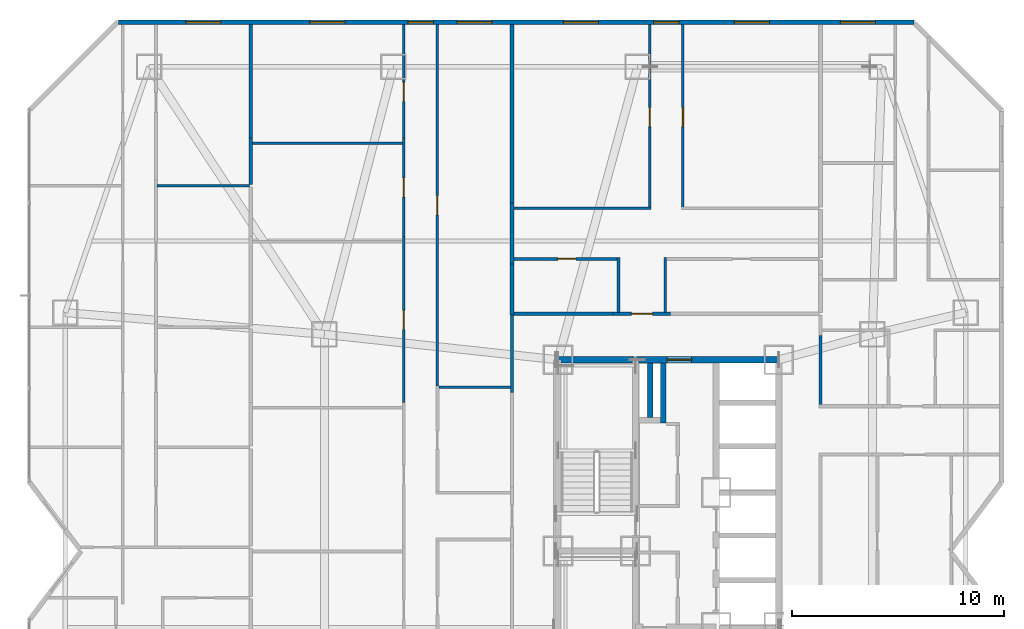
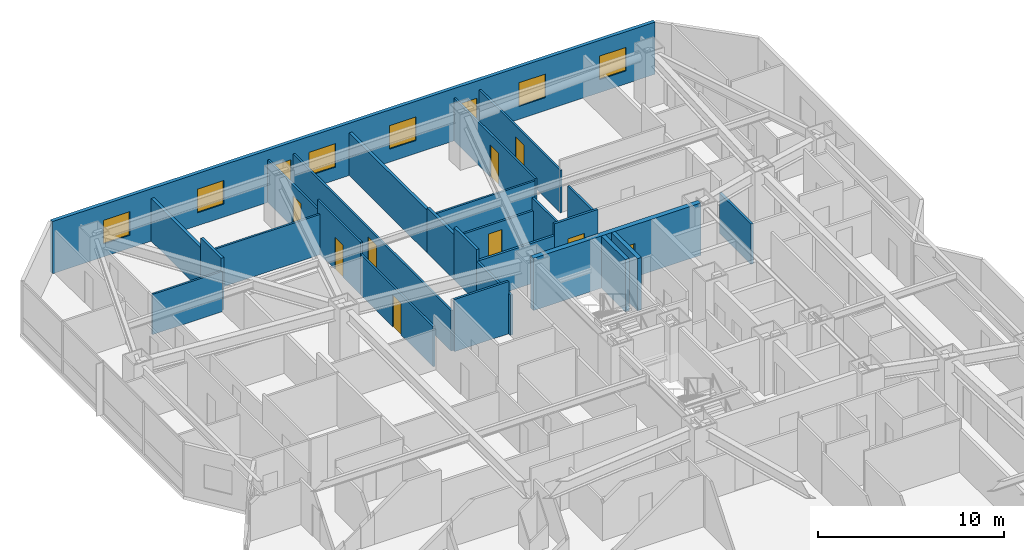
# One storey, part 22 of 25: 26 walls, 9 doors, 8 windows, 17 openings.
"""IFC4 building model written with IfcOpenShell, lengths in metres."""

from ifc_helpers import new_model, si_unit, direction, frame, frame_2d, origin, place, context, subcontext, project, spatial, rectangle, extrude, material, layer, layer_set, type_object, element, fill, save


model = new_model("IFC4")

# Units and contexts
model_context = context("Model", 3, precision=1e-05, world=origin(), true_north=direction((0.0, 1.0)))
body_context = subcontext(model_context, "Body", "Model", "MODEL_VIEW")
ifc_project = project(units=[si_unit("LENGTHUNIT", "METRE"), si_unit("AREAUNIT", "SQUARE_METRE"), si_unit("VOLUMEUNIT", "CUBIC_METRE"), si_unit("PLANEANGLEUNIT", "RADIAN"), si_unit("MASSUNIT", "GRAM", prefix="KILO")], contexts=[model_context])

# Site, building, storey
site_placement = place(None, origin())
site = spatial("IfcSite", under=ifc_project, at=site_placement, CompositionType="ELEMENT")
building_placement = place(site_placement, origin())
building = spatial("IfcBuilding", under=site, at=building_placement, Name="Khamvora Tower", CompositionType="ELEMENT")
storey_placement = place(building_placement, frame((0.0, 0.0, 36.949951171875)))
storey = spatial("IfcBuildingStorey", under=building, at=storey_placement, Name="L08", CompositionType="ELEMENT", Elevation=36.949951171875)

# Wall, opening, door
ifc_material_1 = material(Name="Concrete C50/60", Category="concrete")
ifc_layer_1 = layer(ifc_material_1, 0.300048828125)
ifc_layer_set_1 = layer_set([ifc_layer_1], Name="Concrete C50/60")
wall_type_1 = type_object("IfcWallType", Name="WAL-CORE-300", PredefinedType="SHEAR", material=ifc_layer_set_1)
wall_1_placement = place(storey_placement, frame((29.0, 37.0, 0.0), z_axis=(0.0, 0.0, 1.0), x_axis=(1.0, 0.0, 0.0)))
wall_1 = element("IfcWall", 1, at=wall_1_placement, inside=storey, type_object=wall_type_1, Name="L08 central core north wall", PredefinedType="SHEAR", context=body_context, shape_type="SweptSolid", body=[
    extrude(rectangle(XDim=10.39990234375, YDim=0.300048828125, at=frame_2d((5.199951171875, 0.0))), origin(), (0.0, 0.0, 1.0), 3.429931640625),
])
opening_1_placement = place(wall_1_placement, frame((5.139892578125, 0.0, 0.0)))
opening_1 = element("IfcOpeningElement", 2, at=opening_1_placement, cuts=wall_1, Name="Opening D-SC1", PredefinedType="OPENING", context=body_context, shape_type="SweptSolid", body=[
    extrude(rectangle(XDim=1.14990234375, YDim=2.199951171875, at=frame_2d((0.574951171875, 1.10009765625))), frame((0.0, 0.159912109375, 0.0), z_axis=(0.0, -1.0, 0.0), x_axis=(1.0, 0.0, 0.0)), (0.0, 0.0, 1.0), 0.320068359375),
])
ifc_material_2 = material(Name="Powder-Coated Steel and Hardwood Leaf", Category="steel")
door_type_1 = type_object("IfcDoorType", Name="DOR-SCHL-1150", OperationType="NOTDEFINED", PredefinedType="DOOR", material=ifc_material_2)
door_1_placement = place(opening_1_placement, origin())
door_1 = element("IfcDoor", 3, at=door_1_placement, inside=storey, type_object=door_type_1, Name="L08 north core lobby to corridor fire door", OperationType="SINGLE_SWING_LEFT", OverallHeight=2.199951171875, OverallWidth=1.14990234375, PredefinedType="DOOR", context=body_context, shape_type="SweptSolid", body=[
    extrude(rectangle(XDim=1.14990234375, YDim=2.199951171875, at=frame_2d((0.574951171875, 1.10009765625))), frame((0.0, 0.02490234375, 0.0), z_axis=(0.0, -1.0, 0.0), x_axis=(1.0, 0.0, 0.0)), (0.0, 0.0, 1.0), 0.050048828125),
])
fill(opening_1, door_1)

# Wall
ifc_material_3 = material(Name="Fire-Rated Drywall and Steel Stud", Category="steel")
ifc_layer_2 = layer(ifc_material_3, 0.14990234375)
ifc_layer_set_2 = layer_set([ifc_layer_2], Name="Fire-Rated Drywall and Steel Stud")
wall_type_2 = type_object("IfcWallType", Name="WAL-CORR-150", PredefinedType="STANDARD", material=ifc_layer_set_2)
wall_2_placement = place(storey_placement, frame((26.8349609375, 35.45703125, 0.0), z_axis=(0.0, 0.0, 1.0), x_axis=(0.0, 1.0, 0.0)))
element("IfcWall", 4, at=wall_2_placement, inside=storey, type_object=wall_type_2, Name="L08 interior partition wall 017", PredefinedType="STANDARD", context=body_context, shape_type="SweptSolid", body=[
    extrude(rectangle(XDim=3.64306640625, YDim=0.14990234375, at=frame_2d((1.821533203125, 0.0))), origin(), (0.0, 0.0, 1.0), 2.64697265625),
])

# Wall, opening, door
wall_3_placement = place(storey_placement, frame((31.60107421875, 39.1650390625, 0.0), z_axis=(0.0, 0.0, 1.0), x_axis=(1.0, 0.0, 0.0)))
wall_3 = element("IfcWall", 5, at=wall_3_placement, inside=storey, type_object=wall_type_2, Name="L08 interior partition wall 027", PredefinedType="STANDARD", context=body_context, shape_type="SweptSolid", body=[
    extrude(rectangle(XDim=2.697998046875, YDim=0.14990234375, at=frame_2d((1.34912109375, 0.0))), origin(), (0.0, 0.0, 1.0), 3.429931640625),
])
opening_2_placement = place(wall_3_placement, frame((0.84912109375, 0.0, 0.0)))
opening_2 = element("IfcOpeningElement", 6, at=opening_2_placement, cuts=wall_3, Name="Opening D-U1", PredefinedType="OPENING", context=body_context, shape_type="SweptSolid", body=[
    extrude(rectangle(XDim=1.0, YDim=2.14990234375, at=frame_2d((0.5, 1.074951171875))), frame((0.0, 0.0849609375, 0.0), z_axis=(0.0, -1.0, 0.0), x_axis=(1.0, 0.0, 0.0)), (0.0, 0.0, 1.0), 0.169921875),
])
door_type_2 = type_object("IfcDoorType", Name="DOR-UNIT-1000", OperationType="NOTDEFINED", PredefinedType="DOOR", material=ifc_material_2)
door_2_placement = place(opening_2_placement, origin())
door_2 = element("IfcDoor", 7, at=door_2_placement, inside=storey, type_object=door_type_2, Name="L08 interior door COR-08NAH", OperationType="SINGLE_SWING_RIGHT", OverallHeight=2.14990234375, OverallWidth=1.0, PredefinedType="DOOR", context=body_context, shape_type="SweptSolid", body=[
    extrude(rectangle(XDim=1.0, YDim=2.14990234375, at=frame_2d((0.5, 1.074951171875))), frame((0.0, 0.02490234375, 0.0), z_axis=(0.0, -1.0, 0.0), x_axis=(1.0, 0.0, 0.0)), (0.0, 0.0, 1.0), 0.050048828125),
])
fill(opening_2, door_2)

# Walls
wall_4_placement = place(storey_placement, frame((26.89990234375, 39.1650390625, 0.0), z_axis=(0.0, 0.0, 1.0), x_axis=(1.0, 0.0, 0.0)))
element("IfcWall", 8, at=wall_4_placement, inside=storey, type_object=wall_type_2, Name="L08 interior partition wall 028", PredefinedType="STANDARD", context=body_context, shape_type="SweptSolid", body=[
    extrude(rectangle(XDim=4.701171875, YDim=0.14990234375, at=frame_2d((2.3505859375, 0.0))), origin(), (0.0, 0.0, 1.0), 2.64697265625),
])
wall_5_placement = place(storey_placement, frame((41.364990234375, 38.14599609375, 0.0), z_axis=(0.0, 0.0, 1.0), x_axis=(0.0, -1.0, 0.0)))
element("IfcWall", 9, at=wall_5_placement, inside=storey, type_object=wall_type_2, Name="L08 interior partition wall 039", PredefinedType="STANDARD", context=body_context, shape_type="SweptSolid", body=[
    extrude(rectangle(XDim=3.39599609375, YDim=0.14990234375, at=frame_2d((1.697998046875, 0.0))), origin(), (0.0, 0.0, 1.0), 2.64697265625),
])
ifc_material_4 = material(Name="Acoustic Double-Stud Fire Wall", Category="gypsum")
ifc_layer_3 = layer(ifc_material_4, 0.179931640625)
ifc_layer_set_3 = layer_set([ifc_layer_3], Name="Acoustic Double-Stud Fire Wall")
wall_type_3 = type_object("IfcWallType", Name="WAL-CORR-180", PredefinedType="STANDARD", material=ifc_layer_set_3)
wall_6_placement = place(storey_placement, frame((14.533935546875, 47.443115234375, 0.0), z_axis=(0.0, 0.0, 1.0), x_axis=(0.0, -1.0, 0.0)))
element("IfcWall", 10, at=wall_6_placement, inside=storey, type_object=wall_type_3, Name="L08 interior partition wall 103", PredefinedType="STANDARD", context=body_context, shape_type="SweptSolid", body=[
    extrude(rectangle(XDim=2.18017578125, YDim=0.179931640625, at=frame_2d((1.090087890625, 0.0))), origin(), (0.0, 0.0, 1.0), 3.429931640625),
])
wall_7_placement = place(storey_placement, frame((14.533935546875, 52.7880859375, 0.0), z_axis=(0.0, 0.0, 1.0), x_axis=(0.0, -1.0, 0.0)))
element("IfcWall", 11, at=wall_7_placement, inside=storey, type_object=wall_type_3, Name="L08 interior partition wall 104", PredefinedType="STANDARD", context=body_context, shape_type="SweptSolid", body=[
    extrude(rectangle(XDim=5.344970703125, YDim=0.179931640625, at=frame_2d((2.67236328125, 0.0))), origin(), (0.0, 0.0, 1.0), 2.802978515625),
])
wall_8_placement = place(storey_placement, frame((26.8349609375, 44.383056640625, 0.0), z_axis=(0.0, 0.0, 1.0), x_axis=(0.0, -1.0, 0.0)))
element("IfcWall", 12, at=wall_8_placement, inside=storey, type_object=wall_type_3, Name="L08 interior partition wall 107", PredefinedType="STANDARD", context=body_context, shape_type="SweptSolid", body=[
    extrude(rectangle(XDim=2.878173828125, YDim=0.179931640625, at=frame_2d((1.43896484375, 0.0))), origin(), (0.0, 0.0, 1.0), 2.95703125),
])
wall_9_placement = place(storey_placement, frame((26.8349609375, 41.5048828125, 0.0), z_axis=(0.0, 0.0, 1.0), x_axis=(0.0, -1.0, 0.0)))
element("IfcWall", 13, at=wall_9_placement, inside=storey, type_object=wall_type_3, Name="L08 interior partition wall 108", PredefinedType="STANDARD", context=body_context, shape_type="SweptSolid", body=[
    extrude(rectangle(XDim=2.40478515625, YDim=0.179931640625, at=frame_2d((1.202392578125, 0.0))), origin(), (0.0, 0.0, 1.0), 3.429931640625),
])
wall_10_placement = place(storey_placement, frame((26.8349609375, 52.7880859375, 0.0), z_axis=(0.0, 0.0, 1.0), x_axis=(0.0, -1.0, 0.0)))
element("IfcWall", 14, at=wall_10_placement, inside=storey, type_object=wall_type_3, Name="L08 interior partition wall 109", PredefinedType="STANDARD", context=body_context, shape_type="SweptSolid", body=[
    extrude(rectangle(XDim=8.405029296875, YDim=0.179931640625, at=frame_2d((4.20263671875, 0.0))), origin(), (0.0, 0.0, 1.0), 2.802978515625),
])

# Wall, openings, windows
ifc_material_5 = material(Name="Precast concrete C40/50", Category="concrete")
ifc_layer_4 = layer(ifc_material_5, 0.219970703125)
ifc_layer_set_4 = layer_set([ifc_layer_4], Name="Precast concrete C40/50")
wall_type_4 = type_object("IfcWallType", Name="WAL-EXT-220", PredefinedType="STANDARD", material=ifc_layer_set_4)
wall_11_placement = place(storey_placement, frame((8.31494140625, 52.889892578125, 0.0), z_axis=(0.0, 0.0, 1.0), x_axis=(1.0, 0.0, 0.0)))
wall_11 = element("IfcWall", 15, at=wall_11_placement, inside=storey, type_object=wall_type_4, Name="L08 exterior facade wall 07.1", PredefinedType="STANDARD", context=body_context, shape_type="SweptSolid", body=[
    extrude(rectangle(XDim=37.43896484375, YDim=0.219970703125, at=frame_2d((18.719482421875, 0.0))), origin(), (0.0, 0.0, 1.0), 3.429931640625),
])
opening_3_placement = place(wall_11_placement, frame((3.1640625, 0.0, 0.85009765625)))
opening_3 = element("IfcOpeningElement", 16, at=opening_3_placement, cuts=wall_11, Name="Opening WN-06", PredefinedType="OPENING", context=body_context, shape_type="SweptSolid", body=[
    extrude(rectangle(XDim=1.64990234375, YDim=1.550048828125, at=frame_2d((0.824951171875, 0.77490234375))), frame((0.0, 0.119873046875, 0.0), z_axis=(0.0, -1.0, 0.0), x_axis=(1.0, 0.0, 0.0)), (0.0, 0.0, 1.0), 0.239990234375),
])
opening_4_placement = place(wall_11_placement, frame((15.93994140625, 0.0, 0.85009765625)))
opening_4 = element("IfcOpeningElement", 17, at=opening_4_placement, cuts=wall_11, Name="Opening WN-06", PredefinedType="OPENING", context=body_context, shape_type="SweptSolid", body=[
    extrude(rectangle(XDim=1.64990234375, YDim=1.550048828125, at=frame_2d((0.824951171875, 0.77490234375))), frame((0.0, 0.119873046875, 0.0), z_axis=(0.0, -1.0, 0.0), x_axis=(1.0, 0.0, 0.0)), (0.0, 0.0, 1.0), 0.239990234375),
])
opening_5_placement = place(wall_11_placement, frame((13.618896484375, 0.0, 0.800048828125)))
opening_5 = element("IfcOpeningElement", 18, at=opening_5_placement, cuts=wall_11, Name="Opening WN-03", PredefinedType="OPENING", context=body_context, shape_type="SweptSolid", body=[
    extrude(rectangle(XDim=1.199951171875, YDim=1.5, at=frame_2d((0.60009765625, 0.75))), frame((0.0, 0.119873046875, 0.0), z_axis=(0.0, -1.0, 0.0), x_axis=(1.0, 0.0, 0.0)), (0.0, 0.0, 1.0), 0.239990234375),
])
opening_6_placement = place(wall_11_placement, frame((8.9990234375, 0.0, 0.85009765625)))
opening_6 = element("IfcOpeningElement", 19, at=opening_6_placement, cuts=wall_11, Name="Opening WN-06", PredefinedType="OPENING", context=body_context, shape_type="SweptSolid", body=[
    extrude(rectangle(XDim=1.64990234375, YDim=1.550048828125, at=frame_2d((0.824951171875, 0.77490234375))), frame((0.0, 0.119873046875, 0.0), z_axis=(0.0, -1.0, 0.0), x_axis=(1.0, 0.0, 0.0)), (0.0, 0.0, 1.0), 0.239990234375),
])
opening_7_placement = place(wall_11_placement, frame((25.18505859375, 0.0, 0.800048828125)))
opening_7 = element("IfcOpeningElement", 20, at=opening_7_placement, cuts=wall_11, Name="Opening WN-03", PredefinedType="OPENING", context=body_context, shape_type="SweptSolid", body=[
    extrude(rectangle(XDim=1.199951171875, YDim=1.5, at=frame_2d((0.60009765625, 0.75))), frame((0.0, 0.119873046875, 0.0), z_axis=(0.0, -1.0, 0.0), x_axis=(1.0, 0.0, 0.0)), (0.0, 0.0, 1.0), 0.239990234375),
])
opening_8_placement = place(wall_11_placement, frame((20.93505859375, 0.0, 0.85009765625)))
opening_8 = element("IfcOpeningElement", 21, at=opening_8_placement, cuts=wall_11, Name="Opening WN-06", PredefinedType="OPENING", context=body_context, shape_type="SweptSolid", body=[
    extrude(rectangle(XDim=1.64990234375, YDim=1.550048828125, at=frame_2d((0.824951171875, 0.77490234375))), frame((0.0, 0.119873046875, 0.0), z_axis=(0.0, -1.0, 0.0), x_axis=(1.0, 0.0, 0.0)), (0.0, 0.0, 1.0), 0.239990234375),
])
opening_9_placement = place(wall_11_placement, frame((28.985107421875, 0.0, 0.85009765625)))
opening_9 = element("IfcOpeningElement", 22, at=opening_9_placement, cuts=wall_11, Name="Opening WN-06", PredefinedType="OPENING", context=body_context, shape_type="SweptSolid", body=[
    extrude(rectangle(XDim=1.64990234375, YDim=1.550048828125, at=frame_2d((0.824951171875, 0.77490234375))), frame((0.0, 0.119873046875, 0.0), z_axis=(0.0, -1.0, 0.0), x_axis=(1.0, 0.0, 0.0)), (0.0, 0.0, 1.0), 0.239990234375),
])
opening_10_placement = place(wall_11_placement, frame((33.97998046875, 0.0, 0.85009765625)))
opening_10 = element("IfcOpeningElement", 23, at=opening_10_placement, cuts=wall_11, Name="Opening WN-06", PredefinedType="OPENING", context=body_context, shape_type="SweptSolid", body=[
    extrude(rectangle(XDim=1.64990234375, YDim=1.550048828125, at=frame_2d((0.824951171875, 0.77490234375))), frame((0.0, 0.119873046875, 0.0), z_axis=(0.0, -1.0, 0.0), x_axis=(1.0, 0.0, 0.0)), (0.0, 0.0, 1.0), 0.239990234375),
])
ifc_material_6 = material(Name="Low-E Laminated Double Glazing", Category="glass")
window_type_1 = type_object("IfcWindowType", Name="WIN-VIS-1200x1500", PartitioningType="SINGLE_PANEL", PredefinedType="WINDOW", material=ifc_material_6)
window_1_placement = place(opening_5_placement, origin())
window_1 = element("IfcWindow", 24, at=window_1_placement, inside=storey, type_object=window_type_1, Name="L08 vision window 07.1.03", OverallHeight=1.5, OverallWidth=1.199951171875, PartitioningType="SINGLE_PANEL", PredefinedType="WINDOW", context=body_context, shape_type="SweptSolid", body=[
    extrude(rectangle(XDim=1.199951171875, YDim=1.5, at=frame_2d((0.60009765625, 0.75))), frame((0.0, 0.030029296875, 0.0), z_axis=(0.0, -1.0, 0.0), x_axis=(1.0, 0.0, 0.0)), (0.0, 0.0, 1.0), 0.06005859375),
])
fill(opening_5, window_1)
window_2_placement = place(opening_7_placement, origin())
window_2 = element("IfcWindow", 25, at=window_2_placement, inside=storey, type_object=window_type_1, Name="L08 vision window 07.1.05", OverallHeight=1.5, OverallWidth=1.199951171875, PartitioningType="SINGLE_PANEL", PredefinedType="WINDOW", context=body_context, shape_type="SweptSolid", body=[
    extrude(rectangle(XDim=1.199951171875, YDim=1.5, at=frame_2d((0.60009765625, 0.75))), frame((0.0, 0.030029296875, 0.0), z_axis=(0.0, -1.0, 0.0), x_axis=(1.0, 0.0, 0.0)), (0.0, 0.0, 1.0), 0.06005859375),
])
fill(opening_7, window_2)
window_type_2 = type_object("IfcWindowType", Name="WIN-VIS-1650x1550", PartitioningType="SINGLE_PANEL", PredefinedType="WINDOW", material=ifc_material_6)
window_3_placement = place(opening_3_placement, origin())
window_3 = element("IfcWindow", 26, at=window_3_placement, inside=storey, type_object=window_type_2, Name="L08 vision window 07.1.01", OverallHeight=1.550048828125, OverallWidth=1.64990234375, PartitioningType="SINGLE_PANEL", PredefinedType="WINDOW", context=body_context, shape_type="SweptSolid", body=[
    extrude(rectangle(XDim=1.64990234375, YDim=1.550048828125, at=frame_2d((0.824951171875, 0.77490234375))), frame((0.0, 0.030029296875, 0.0), z_axis=(0.0, -1.0, 0.0), x_axis=(1.0, 0.0, 0.0)), (0.0, 0.0, 1.0), 0.06005859375),
])
fill(opening_3, window_3)
window_4_placement = place(opening_4_placement, origin())
window_4 = element("IfcWindow", 27, at=window_4_placement, inside=storey, type_object=window_type_2, Name="L08 vision window 07.1.02", OverallHeight=1.550048828125, OverallWidth=1.64990234375, PartitioningType="SINGLE_PANEL", PredefinedType="WINDOW", context=body_context, shape_type="SweptSolid", body=[
    extrude(rectangle(XDim=1.64990234375, YDim=1.550048828125, at=frame_2d((0.824951171875, 0.77490234375))), frame((0.0, 0.030029296875, 0.0), z_axis=(0.0, -1.0, 0.0), x_axis=(1.0, 0.0, 0.0)), (0.0, 0.0, 1.0), 0.06005859375),
])
fill(opening_4, window_4)
window_5_placement = place(opening_6_placement, origin())
window_5 = element("IfcWindow", 28, at=window_5_placement, inside=storey, type_object=window_type_2, Name="L08 vision window 07.1.04", OverallHeight=1.550048828125, OverallWidth=1.64990234375, PartitioningType="SINGLE_PANEL", PredefinedType="WINDOW", context=body_context, shape_type="SweptSolid", body=[
    extrude(rectangle(XDim=1.64990234375, YDim=1.550048828125, at=frame_2d((0.824951171875, 0.77490234375))), frame((0.0, 0.030029296875, 0.0), z_axis=(0.0, -1.0, 0.0), x_axis=(1.0, 0.0, 0.0)), (0.0, 0.0, 1.0), 0.06005859375),
])
fill(opening_6, window_5)
window_6_placement = place(opening_8_placement, origin())
window_6 = element("IfcWindow", 29, at=window_6_placement, inside=storey, type_object=window_type_2, Name="L08 vision window 07.1.06", OverallHeight=1.550048828125, OverallWidth=1.64990234375, PartitioningType="SINGLE_PANEL", PredefinedType="WINDOW", context=body_context, shape_type="SweptSolid", body=[
    extrude(rectangle(XDim=1.64990234375, YDim=1.550048828125, at=frame_2d((0.824951171875, 0.77490234375))), frame((0.0, 0.030029296875, 0.0), z_axis=(0.0, -1.0, 0.0), x_axis=(1.0, 0.0, 0.0)), (0.0, 0.0, 1.0), 0.06005859375),
])
fill(opening_8, window_6)
window_7_placement = place(opening_9_placement, origin())
window_7 = element("IfcWindow", 30, at=window_7_placement, inside=storey, type_object=window_type_2, Name="L08 vision window 07.1.07", OverallHeight=1.550048828125, OverallWidth=1.64990234375, PartitioningType="SINGLE_PANEL", PredefinedType="WINDOW", context=body_context, shape_type="SweptSolid", body=[
    extrude(rectangle(XDim=1.64990234375, YDim=1.550048828125, at=frame_2d((0.824951171875, 0.77490234375))), frame((0.0, 0.030029296875, 0.0), z_axis=(0.0, -1.0, 0.0), x_axis=(1.0, 0.0, 0.0)), (0.0, 0.0, 1.0), 0.06005859375),
])
fill(opening_9, window_7)
window_8_placement = place(opening_10_placement, origin())
window_8 = element("IfcWindow", 31, at=window_8_placement, inside=storey, type_object=window_type_2, Name="L08 vision window 07.1.08", OverallHeight=1.550048828125, OverallWidth=1.64990234375, PartitioningType="SINGLE_PANEL", PredefinedType="WINDOW", context=body_context, shape_type="SweptSolid", body=[
    extrude(rectangle(XDim=1.64990234375, YDim=1.550048828125, at=frame_2d((0.824951171875, 0.77490234375))), frame((0.0, 0.030029296875, 0.0), z_axis=(0.0, -1.0, 0.0), x_axis=(1.0, 0.0, 0.0)), (0.0, 0.0, 1.0), 0.06005859375),
])
fill(opening_10, window_8)

# Wall
ifc_material_7 = material(Name="Gypsum Plasterboard Partition", Category="gypsum")
ifc_layer_5 = layer(ifc_material_7, 0.1201171875)
ifc_layer_set_5 = layer_set([ifc_layer_5], Name="Gypsum Plasterboard Partition")
wall_type_5 = type_object("IfcWallType", Name="WAL-PART-120", PredefinedType="PARTITIONING", material=ifc_layer_set_5)
wall_12_placement = place(storey_placement, frame((10.1279296875, 45.197998046875, 0.0), z_axis=(0.0, 0.0, 1.0), x_axis=(1.0, 0.0, 0.0)))
element("IfcWall", 32, at=wall_12_placement, inside=storey, type_object=wall_type_5, Name="L08 interior partition wall 100", PredefinedType="PARTITIONING", context=body_context, shape_type="SweptSolid", body=[
    extrude(rectangle(XDim=4.341064453125, YDim=0.1201171875, at=frame_2d((2.17041015625, 0.0))), origin(), (0.0, 0.0, 1.0), 2.64697265625),
])

# Wall, opening, door
wall_13_placement = place(storey_placement, frame((23.323974609375, 35.77099609375, 0.0), z_axis=(0.0, 0.0, 1.0), x_axis=(0.0, 1.0, 0.0)))
wall_13 = element("IfcWall", 33, at=wall_13_placement, inside=storey, type_object=wall_type_5, Name="L08 interior partition wall 105", PredefinedType="PARTITIONING", context=body_context, shape_type="SweptSolid", body=[
    extrude(rectangle(XDim=17.01708984375, YDim=0.1201171875, at=frame_2d((8.508544921875, 0.0))), origin(), (0.0, 0.0, 1.0), 2.64697265625),
])
opening_11_placement = place(wall_13_placement, frame((8.05908203125, 0.0, 0.0)))
opening_11 = element("IfcOpeningElement", 34, at=opening_11_placement, cuts=wall_13, Name="Opening D-RM1", PredefinedType="OPENING", context=body_context, shape_type="SweptSolid", body=[
    extrude(rectangle(XDim=0.89990234375, YDim=2.10009765625, at=frame_2d((0.449951171875, 1.050048828125))), frame((0.0, 0.070068359375, 0.0), z_axis=(0.0, -1.0, 0.0), x_axis=(1.0, 0.0, 0.0)), (0.0, 0.0, 1.0), 0.14013671875),
])
door_type_3 = type_object("IfcDoorType", Name="DOR-ROOM-900", OperationType="NOTDEFINED", PredefinedType="DOOR", material=ifc_material_2)
door_3_placement = place(opening_11_placement, origin())
door_3 = element("IfcDoor", 35, at=door_3_placement, inside=storey, type_object=door_type_3, Name="L08 interior door 08WC2W2-08WC2H", OperationType="SINGLE_SWING_LEFT", OverallHeight=2.10009765625, OverallWidth=0.89990234375, PredefinedType="DOOR", context=body_context, shape_type="SweptSolid", body=[
    extrude(rectangle(XDim=0.89990234375, YDim=2.10009765625, at=frame_2d((0.449951171875, 1.050048828125))), frame((0.0, 0.02490234375, 0.0), z_axis=(0.0, -1.0, 0.0), x_axis=(1.0, 0.0, 0.0)), (0.0, 0.0, 1.0), 0.050048828125),
])
fill(opening_11, door_3)

wall_14_placement = place(storey_placement, frame((21.743896484375, 34.986083984375, 0.0), z_axis=(0.0, 0.0, 1.0), x_axis=(0.0, 1.0, 0.0)))
wall_14 = element("IfcWall", 36, at=wall_14_placement, inside=storey, type_object=wall_type_5, Name="L08 interior partition wall 116", PredefinedType="PARTITIONING", context=body_context, shape_type="SweptSolid", body=[
    extrude(rectangle(XDim=7.825927734375, YDim=0.1201171875, at=frame_2d((3.9130859375, 0.0))), origin(), (0.0, 0.0, 1.0), 2.64697265625),
])
opening_12_placement = place(wall_14_placement, frame((3.44189453125, 0.0, 0.0)))
opening_12 = element("IfcOpeningElement", 37, at=opening_12_placement, cuts=wall_14, Name="Opening D-RM1", PredefinedType="OPENING", context=body_context, shape_type="SweptSolid", body=[
    extrude(rectangle(XDim=0.89990234375, YDim=2.10009765625, at=frame_2d((0.449951171875, 1.050048828125))), frame((0.0, 0.070068359375, 0.0), z_axis=(0.0, -1.0, 0.0), x_axis=(1.0, 0.0, 0.0)), (0.0, 0.0, 1.0), 0.14013671875),
])
door_4_placement = place(opening_12_placement, origin())
door_4 = element("IfcDoor", 38, at=door_4_placement, inside=storey, type_object=door_type_3, Name="L08 interior door 08WC2H-08WC2R3", OperationType="SINGLE_SWING_RIGHT", OverallHeight=2.10009765625, OverallWidth=0.89990234375, PredefinedType="DOOR", context=body_context, shape_type="SweptSolid", body=[
    extrude(rectangle(XDim=0.89990234375, YDim=2.10009765625, at=frame_2d((0.449951171875, 1.050048828125))), frame((0.0, 0.02490234375, 0.0), z_axis=(0.0, -1.0, 0.0), x_axis=(1.0, 0.0, 0.0)), (0.0, 0.0, 1.0), 0.050048828125),
])
fill(opening_12, door_4)

wall_15_placement = place(storey_placement, frame((21.743896484375, 42.81201171875, 0.0), z_axis=(0.0, 0.0, 1.0), x_axis=(0.0, 1.0, 0.0)))
wall_15 = element("IfcWall", 39, at=wall_15_placement, inside=storey, type_object=wall_type_5, Name="L08 interior partition wall 117", PredefinedType="PARTITIONING", context=body_context, shape_type="SweptSolid", body=[
    extrude(rectangle(XDim=4.631103515625, YDim=0.1201171875, at=frame_2d((2.3154296875, 0.0))), origin(), (0.0, 0.0, 1.0), 3.429931640625),
])
opening_13_placement = place(wall_15_placement, frame((1.844970703125, 0.0, 0.0)))
opening_13 = element("IfcOpeningElement", 40, at=opening_13_placement, cuts=wall_15, Name="Opening D-RM1", PredefinedType="OPENING", context=body_context, shape_type="SweptSolid", body=[
    extrude(rectangle(XDim=0.89990234375, YDim=2.10009765625, at=frame_2d((0.449951171875, 1.050048828125))), frame((0.0, 0.070068359375, 0.0), z_axis=(0.0, -1.0, 0.0), x_axis=(1.0, 0.0, 0.0)), (0.0, 0.0, 1.0), 0.14013671875),
])
door_5_placement = place(opening_13_placement, origin())
door_5 = element("IfcDoor", 41, at=door_5_placement, inside=storey, type_object=door_type_3, Name="L08 interior door 08WC2H-08WC2R4", OperationType="SINGLE_SWING_LEFT", OverallHeight=2.10009765625, OverallWidth=0.89990234375, PredefinedType="DOOR", context=body_context, shape_type="SweptSolid", body=[
    extrude(rectangle(XDim=0.89990234375, YDim=2.10009765625, at=frame_2d((0.449951171875, 1.050048828125))), frame((0.0, 0.02490234375, 0.0), z_axis=(0.0, -1.0, 0.0), x_axis=(1.0, 0.0, 0.0)), (0.0, 0.0, 1.0), 0.050048828125),
])
fill(opening_13, door_5)

wall_16_placement = place(storey_placement, frame((21.743896484375, 47.443115234375, 0.0), z_axis=(0.0, 0.0, 1.0), x_axis=(0.0, 1.0, 0.0)))
wall_16 = element("IfcWall", 42, at=wall_16_placement, inside=storey, type_object=wall_type_5, Name="L08 interior partition wall 118", PredefinedType="PARTITIONING", context=body_context, shape_type="SweptSolid", body=[
    extrude(rectangle(XDim=5.344970703125, YDim=0.1201171875, at=frame_2d((2.67236328125, 0.0))), origin(), (0.0, 0.0, 1.0), 2.802978515625),
])
opening_14_placement = place(wall_16_placement, frame((1.72509765625, 0.0, 0.0)))
opening_14 = element("IfcOpeningElement", 43, at=opening_14_placement, cuts=wall_16, Name="Opening D-RM1", PredefinedType="OPENING", context=body_context, shape_type="SweptSolid", body=[
    extrude(rectangle(XDim=0.89990234375, YDim=2.10009765625, at=frame_2d((0.449951171875, 1.050048828125))), frame((0.0, 0.070068359375, 0.0), z_axis=(0.0, -1.0, 0.0), x_axis=(1.0, 0.0, 0.0)), (0.0, 0.0, 1.0), 0.14013671875),
])
door_6_placement = place(opening_14_placement, origin())
door_6 = element("IfcDoor", 44, at=door_6_placement, inside=storey, type_object=door_type_3, Name="L08 interior door 08WC2H-08WC2R5", OperationType="SINGLE_SWING_LEFT", OverallHeight=2.10009765625, OverallWidth=0.89990234375, PredefinedType="DOOR", context=body_context, shape_type="SweptSolid", body=[
    extrude(rectangle(XDim=0.89990234375, YDim=2.10009765625, at=frame_2d((0.449951171875, 1.050048828125))), frame((0.0, 0.02490234375, 0.0), z_axis=(0.0, -1.0, 0.0), x_axis=(1.0, 0.0, 0.0)), (0.0, 0.0, 1.0), 0.050048828125),
])
fill(opening_14, door_6)

# Walls
wall_17_placement = place(storey_placement, frame((14.615966796875, 47.194091796875, 0.0), z_axis=(0.0, 0.0, 1.0), x_axis=(1.0, 0.0, 0.0)))
element("IfcWall", 45, at=wall_17_placement, inside=storey, type_object=wall_type_5, Name="L08 interior partition wall 122", PredefinedType="PARTITIONING", context=body_context, shape_type="SweptSolid", body=[
    extrude(rectangle(XDim=7.073974609375, YDim=0.1201171875, at=frame_2d((3.537109375, 0.0))), origin(), (0.0, 0.0, 1.0), 2.64697265625),
])
wall_18_placement = place(storey_placement, frame((26.9169921875, 44.134033203125, 0.0), z_axis=(0.0, 0.0, 1.0), x_axis=(1.0, 0.0, 0.0)))
element("IfcWall", 46, at=wall_18_placement, inside=storey, type_object=wall_type_5, Name="L08 interior partition wall 136", PredefinedType="PARTITIONING", context=body_context, shape_type="SweptSolid", body=[
    extrude(rectangle(XDim=6.462890625, YDim=0.1201171875, at=frame_2d((3.2314453125, 0.0))), origin(), (0.0, 0.0, 1.0), 2.64697265625),
])

# Wall, opening, door
wall_19_placement = place(storey_placement, frame((33.31494140625, 44.069091796875, 0.0), z_axis=(0.0, 0.0, 1.0), x_axis=(0.0, 1.0, 0.0)))
wall_19 = element("IfcWall", 47, at=wall_19_placement, inside=storey, type_object=wall_type_5, Name="L08 interior partition wall 137", PredefinedType="PARTITIONING", context=body_context, shape_type="SweptSolid", body=[
    extrude(rectangle(XDim=8.718994140625, YDim=0.1201171875, at=frame_2d((4.359375, 0.0))), origin(), (0.0, 0.0, 1.0), 2.802978515625),
])
opening_15_placement = place(wall_19_placement, frame((3.908935546875, 0.0, 0.0)))
opening_15 = element("IfcOpeningElement", 48, at=opening_15_placement, cuts=wall_19, Name="Opening D-RM1", PredefinedType="OPENING", context=body_context, shape_type="SweptSolid", body=[
    extrude(rectangle(XDim=0.89990234375, YDim=2.10009765625, at=frame_2d((0.449951171875, 1.050048828125))), frame((0.0, 0.070068359375, 0.0), z_axis=(0.0, -1.0, 0.0), x_axis=(1.0, 0.0, 0.0)), (0.0, 0.0, 1.0), 0.14013671875),
])
door_7_placement = place(opening_15_placement, origin())
door_7 = element("IfcDoor", 49, at=door_7_placement, inside=storey, type_object=door_type_3, Name="L08 interior door 08NAH-08NAR1", OperationType="SINGLE_SWING_LEFT", OverallHeight=2.10009765625, OverallWidth=0.89990234375, PredefinedType="DOOR", context=body_context, shape_type="SweptSolid", body=[
    extrude(rectangle(XDim=0.89990234375, YDim=2.10009765625, at=frame_2d((0.449951171875, 1.050048828125))), frame((0.0, 0.02490234375, 0.0), z_axis=(0.0, -1.0, 0.0), x_axis=(1.0, 0.0, 0.0)), (0.0, 0.0, 1.0), 0.050048828125),
])
fill(opening_15, door_7)

wall_20_placement = place(storey_placement, frame((34.885009765625, 52.7880859375, 0.0), z_axis=(0.0, 0.0, 1.0), x_axis=(0.0, -1.0, 0.0)))
wall_20 = element("IfcWall", 50, at=wall_20_placement, inside=storey, type_object=wall_type_5, Name="L08 interior partition wall 138", PredefinedType="PARTITIONING", context=body_context, shape_type="SweptSolid", body=[
    extrude(rectangle(XDim=8.718994140625, YDim=0.1201171875, at=frame_2d((4.359375, 0.0))), origin(), (0.0, 0.0, 1.0), 2.802978515625),
])
opening_16_placement = place(wall_20_placement, frame((3.908935546875, 0.0, 0.0)))
opening_16 = element("IfcOpeningElement", 51, at=opening_16_placement, cuts=wall_20, Name="Opening D-RM1", PredefinedType="OPENING", context=body_context, shape_type="SweptSolid", body=[
    extrude(rectangle(XDim=0.89990234375, YDim=2.10009765625, at=frame_2d((0.449951171875, 1.050048828125))), frame((0.0, 0.070068359375, 0.0), z_axis=(0.0, -1.0, 0.0), x_axis=(1.0, 0.0, 0.0)), (0.0, 0.0, 1.0), 0.14013671875),
])
door_8_placement = place(opening_16_placement, origin())
door_8 = element("IfcDoor", 52, at=door_8_placement, inside=storey, type_object=door_type_3, Name="L08 interior door 08NAH-08NAR2", OperationType="SINGLE_SWING_RIGHT", OverallHeight=2.10009765625, OverallWidth=0.89990234375, PredefinedType="DOOR", context=body_context, shape_type="SweptSolid", body=[
    extrude(rectangle(XDim=0.89990234375, YDim=2.10009765625, at=frame_2d((0.449951171875, 1.050048828125))), frame((0.0, 0.02490234375, 0.0), z_axis=(0.0, -1.0, 0.0), x_axis=(1.0, 0.0, 0.0)), (0.0, 0.0, 1.0), 0.050048828125),
])
fill(opening_16, door_8)

# Walls
ifc_material_8 = material(Name="Concrete C40/50", Category="concrete")
ifc_layer_6 = layer(ifc_material_8, 0.25)
ifc_layer_set_6 = layer_set([ifc_layer_6], Name="Concrete C40/50")
wall_type_6 = type_object("IfcWallType", Name="WAL-PODS-250", PredefinedType="SHEAR", material=ifc_layer_set_6)
wall_21_placement = place(storey_placement, frame((33.955078125, 34.02490234375, 0.0), z_axis=(0.0, 0.0, 1.0), x_axis=(0.0, 1.0, 0.0)))
element("IfcWall", 53, at=wall_21_placement, inside=storey, type_object=wall_type_6, Name="L08 vertical MEP riser shaft east enclosure wall", PredefinedType="SHEAR", context=body_context, shape_type="SweptSolid", body=[
    extrude(rectangle(XDim=2.821044921875, YDim=0.25, at=frame_2d((1.41064453125, 0.0))), origin(), (0.0, 0.0, 1.0), 3.429931640625),
])
wall_22_placement = place(storey_placement, frame((33.340087890625, 34.279052734375, 0.0), z_axis=(0.0, 0.0, 1.0), x_axis=(0.0, 1.0, 0.0)))
element("IfcWall", 54, at=wall_22_placement, inside=storey, type_object=wall_type_6, Name="L08 vertical MEP riser shaft divider enclosure wall", PredefinedType="SHEAR", context=body_context, shape_type="SweptSolid", body=[
    extrude(rectangle(XDim=2.56689453125, YDim=0.25, at=frame_2d((1.283447265625, 0.0))), origin(), (0.0, 0.0, 1.0), 3.429931640625),
])
ifc_material_9 = material(Name="Moisture-Resistant Plasterboard Partition", Category="gypsum")
ifc_layer_7 = layer(ifc_material_9, 0.135009765625)
ifc_layer_set_7 = layer_set([ifc_layer_7], Name="Moisture-Resistant Plasterboard Partition")
wall_type_7 = type_object("IfcWallType", Name="WAL-WET-135", PredefinedType="PARTITIONING", material=ifc_layer_set_7)
wall_23_placement = place(storey_placement, frame((26.77001953125, 35.7060546875, 0.0), z_axis=(0.0, 0.0, 1.0), x_axis=(-1.0, 0.0, 0.0)))
element("IfcWall", 55, at=wall_23_placement, inside=storey, type_object=wall_type_7, Name="L08 interior partition wall 106", PredefinedType="PARTITIONING", context=body_context, shape_type="SweptSolid", body=[
    extrude(rectangle(XDim=3.381103515625, YDim=0.135009765625, at=frame_2d((1.6904296875, 0.0))), origin(), (0.0, 0.0, 1.0), 3.429931640625),
])
wall_24_placement = place(storey_placement, frame((31.85009765625, 39.23193359375, 0.0), z_axis=(0.0, 0.0, 1.0), x_axis=(0.0, 1.0, 0.0)))
element("IfcWall", 56, at=wall_24_placement, inside=storey, type_object=wall_type_7, Name="L08 interior partition wall 132", PredefinedType="PARTITIONING", context=body_context, shape_type="SweptSolid", body=[
    extrude(rectangle(XDim=2.587158203125, YDim=0.135009765625, at=frame_2d((1.29345703125, 0.0))), origin(), (0.0, 0.0, 1.0), 3.429931640625),
])

# Wall, opening, door
wall_25_placement = place(storey_placement, frame((31.9150390625, 41.75390625, 0.0), z_axis=(0.0, 0.0, 1.0), x_axis=(-1.0, 0.0, 0.0)))
wall_25 = element("IfcWall", 57, at=wall_25_placement, inside=storey, type_object=wall_type_7, Name="L08 interior partition wall 133", PredefinedType="PARTITIONING", context=body_context, shape_type="SweptSolid", body=[
    extrude(rectangle(XDim=4.998046875, YDim=0.135009765625, at=frame_2d((2.4990234375, 0.0))), origin(), (0.0, 0.0, 1.0), 2.64697265625),
])
opening_17_placement = place(wall_25_placement, frame((2.073974609375, 0.0, 0.0)))
opening_17 = element("IfcOpeningElement", 58, at=opening_17_placement, cuts=wall_25, Name="Opening D-WC1", PredefinedType="OPENING", context=body_context, shape_type="SweptSolid", body=[
    extrude(rectangle(XDim=0.85009765625, YDim=2.10009765625, at=frame_2d((0.425048828125, 1.050048828125))), frame((0.0, 0.077392578125, 0.0), z_axis=(0.0, -1.0, 0.0), x_axis=(1.0, 0.0, 0.0)), (0.0, 0.0, 1.0), 0.155029296875),
])
door_type_4 = type_object("IfcDoorType", Name="DOR-WET-850", OperationType="NOTDEFINED", PredefinedType="DOOR", material=ifc_material_2)
door_9_placement = place(opening_17_placement, origin())
door_9 = element("IfcDoor", 59, at=door_9_placement, inside=storey, type_object=door_type_4, Name="L08 interior door 08NAH-08NAB", OperationType="SINGLE_SWING_LEFT", OverallHeight=2.10009765625, OverallWidth=0.85009765625, PredefinedType="DOOR", context=body_context, shape_type="SweptSolid", body=[
    extrude(rectangle(XDim=0.85009765625, YDim=2.10009765625, at=frame_2d((0.425048828125, 1.050048828125))), frame((0.0, 0.02490234375, 0.0), z_axis=(0.0, -1.0, 0.0), x_axis=(1.0, 0.0, 0.0)), (0.0, 0.0, 1.0), 0.050048828125),
])
fill(opening_17, door_9)

# Wall
wall_26_placement = place(storey_placement, frame((34.050048828125, 41.819091796875, 0.0), z_axis=(0.0, 0.0, 1.0), x_axis=(0.0, -1.0, 0.0)))
element("IfcWall", 60, at=wall_26_placement, inside=storey, type_object=wall_type_7, Name="L08 interior partition wall 135", PredefinedType="PARTITIONING", context=body_context, shape_type="SweptSolid", body=[
    extrude(rectangle(XDim=2.587158203125, YDim=0.135009765625, at=frame_2d((1.29345703125, 0.0))), origin(), (0.0, 0.0, 1.0), 3.429931640625),
])

save(model, "model.ifc")
